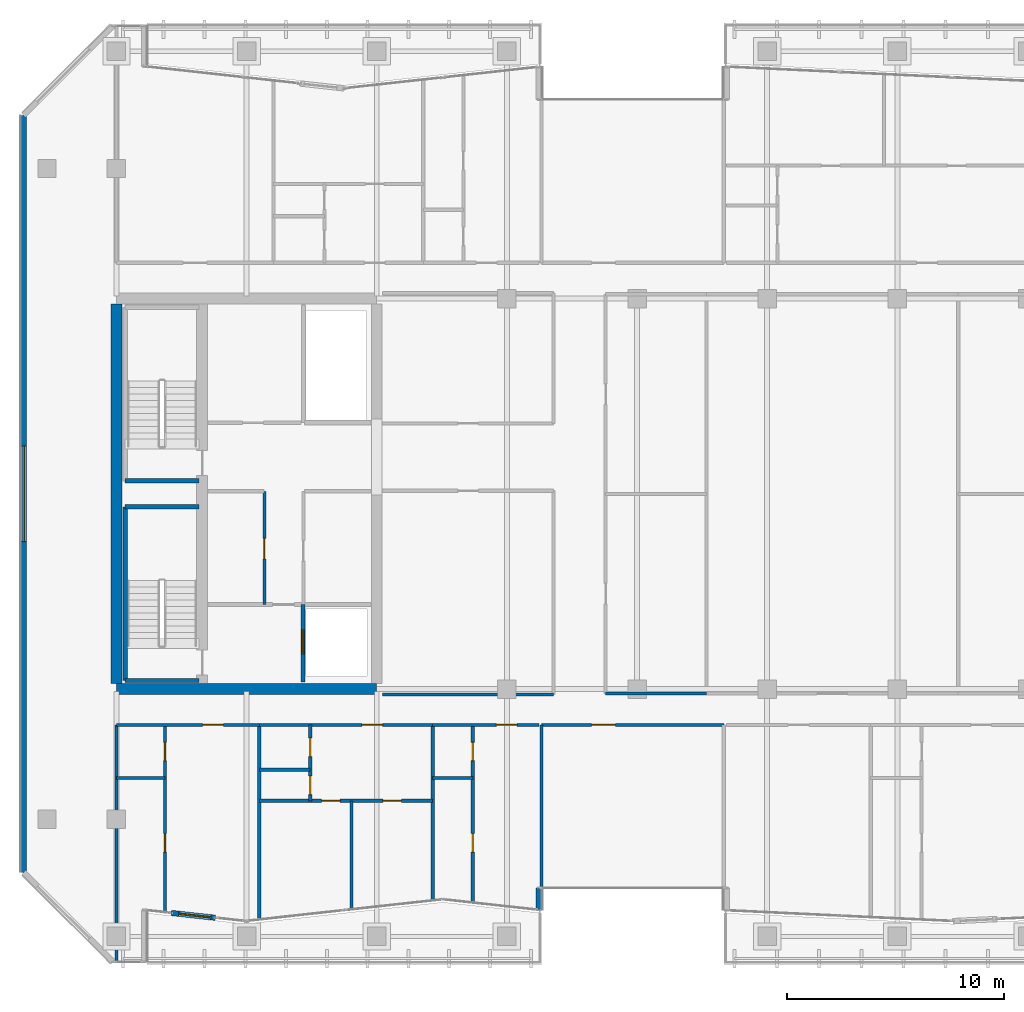
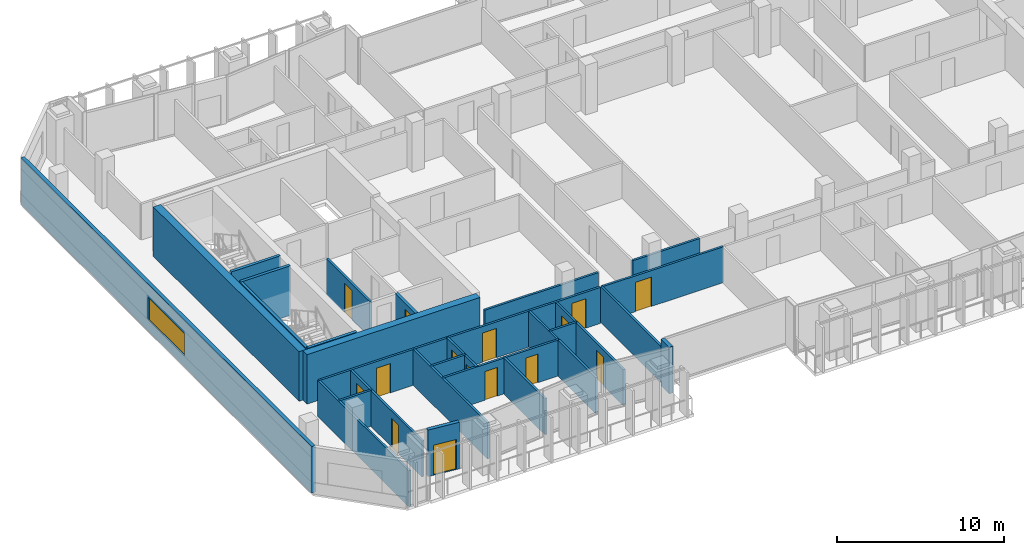
# One storey, part 18 of 28: 29 walls, 15 doors, 1 window, 16 openings.
"""IFC4 building model written with IfcOpenShell, lengths in metres."""

from ifc_helpers import new_model, si_unit, direction, frame, frame_2d, origin, place, context, subcontext, project, spatial, rectangle, extrude, material, layer, layer_set, type_object, element, fill, save


model = new_model("IFC4")

# Units and contexts
model_context = context("Model", 3, precision=1e-05, world=origin(), true_north=direction((0.0, 1.0)))
body_context = subcontext(model_context, "Body", "Model", "MODEL_VIEW")
ifc_project = project(units=[si_unit("LENGTHUNIT", "METRE"), si_unit("AREAUNIT", "SQUARE_METRE"), si_unit("VOLUMEUNIT", "CUBIC_METRE"), si_unit("PLANEANGLEUNIT", "RADIAN"), si_unit("MASSUNIT", "GRAM", prefix="KILO")], contexts=[model_context])

# Site, building, storey
site_placement = place(None, origin())
site = spatial("IfcSite", under=ifc_project, at=site_placement, CompositionType="ELEMENT")
building_placement = place(site_placement, origin())
building = spatial("IfcBuilding", under=site, at=building_placement, Name="Tanjung Sevakor Pilgrim Tower", CompositionType="ELEMENT")
storey_placement = place(building_placement, frame((0.0, 0.0, 158.39990234375)))
storey = spatial("IfcBuildingStorey", under=building, at=storey_placement, Name="L44", CompositionType="ELEMENT", Elevation=158.39990234375)

# Walls
ifc_material_1 = material(Name="Concrete C60/75", Category="concrete")
ifc_layer_1 = layer(ifc_material_1, 0.5)
ifc_layer_set_1 = layer_set([ifc_layer_1], Name="WALL-CW-500")
wall_type_1 = type_object("IfcWallType", Name="WALL-CW-500", PredefinedType="SHEAR", material=ifc_layer_set_1)
wall_1_placement = place(storey_placement, frame((24.0, 24.60009765625, 0.0), z_axis=(0.0, 0.0, 1.0), x_axis=(1.0, 0.0, 0.0)))
element("IfcWall", 1, at=wall_1_placement, inside=storey, type_object=wall_type_1, Name="L44 W Core South Shear Wall", PredefinedType="SHEAR", context=body_context, shape_type="SweptSolid", body=[
    extrude(rectangle(XDim=12.0, YDim=0.5, at=frame_2d((6.0, 0.0))), origin(), (0.0, 0.0, 1.0), 3.630126953125),
])
wall_2_placement = place(storey_placement, frame((24.0, 24.85009765625, 0.0), z_axis=(0.0, 0.0, 1.0), x_axis=(0.0, 1.0, 0.0)))
element("IfcWall", 2, at=wall_2_placement, inside=storey, type_object=wall_type_1, Name="L44 W Core Outer Shear Wall", PredefinedType="SHEAR", context=body_context, shape_type="SweptSolid", body=[
    extrude(rectangle(XDim=17.5, YDim=0.5, at=frame_2d((8.75, 0.0))), origin(), (0.0, 0.0, 1.0), 3.630126953125),
])

# Wall, opening, door
ifc_material_2 = material(Name="Concrete C40/50", Category="concrete")
ifc_layer_2 = layer(ifc_material_2, 0.14990234375)
ifc_layer_set_2 = layer_set([ifc_layer_2], Name="WT-COMP-150")
wall_type_2 = type_object("IfcWallType", Name="WT-COMP-150", PredefinedType="SOLIDWALL", material=ifc_layer_set_2)
wall_3_placement = place(storey_placement, frame((30.820068359375, 28.5, 0.0), z_axis=(0.0, 0.0, 1.0), x_axis=(0.0, 1.0, 0.0)))
wall_3 = element("IfcWall", 3, at=wall_3_placement, inside=storey, type_object=wall_type_2, Name="L44 Partition IW-L44-004", PredefinedType="SOLIDWALL", context=body_context, shape_type="SweptSolid", body=[
    extrude(rectangle(XDim=5.219970703125, YDim=0.14990234375, at=frame_2d((2.60986328125, 0.0))), origin(), (0.0, 0.0, 1.0), 2.6298828125),
])
opening_1_placement = place(wall_3_placement, frame((2.10009765625, 0.0, 0.0)))
opening_1 = element("IfcOpeningElement", 4, at=opening_1_placement, cuts=wall_3, Name="Opening ID-FD2", PredefinedType="OPENING", context=body_context, shape_type="SweptSolid", body=[
    extrude(rectangle(XDim=0.949951171875, YDim=2.14990234375, at=frame_2d((0.47509765625, 1.074951171875))), frame((0.0, 0.0849609375, 0.0), z_axis=(0.0, -1.0, 0.0), x_axis=(1.0, 0.0, 0.0)), (0.0, 0.0, 1.0), 0.169921875),
])
ifc_material_3 = material(Name="Fire-Rated Timber", Category="wood")
door_type_1 = type_object("IfcDoorType", Name="DT-FIRE-950", OperationType="NOTDEFINED", PredefinedType="DOOR", material=ifc_material_3)
door_1_placement = place(opening_1_placement, origin())
door_1 = element("IfcDoor", 5, at=door_1_placement, inside=storey, type_object=door_type_1, Name="L44 Housekeeping Pantry Door", OperationType="SINGLE_SWING_RIGHT", OverallHeight=2.14990234375, OverallWidth=0.949951171875, PredefinedType="DOOR", context=body_context, shape_type="SweptSolid", body=[
    extrude(rectangle(XDim=0.949951171875, YDim=2.14990234375, at=frame_2d((0.47509765625, 1.074951171875))), frame((0.0, 0.02490234375, 0.0), z_axis=(0.0, -1.0, 0.0), x_axis=(1.0, 0.0, 0.0)), (0.0, 0.0, 1.0), 0.050048828125),
])
fill(opening_1, door_1)

# Walls
wall_4_placement = place(storey_placement, frame((36.27001953125, 24.35009765625, 0.0), z_axis=(0.0, 0.0, 1.0), x_axis=(1.0, 0.0, 0.0)))
element("IfcWall", 6, at=wall_4_placement, inside=storey, type_object=wall_type_2, Name="L44 Partition IW-L44-019", PredefinedType="SOLIDWALL", context=body_context, shape_type="SweptSolid", body=[
    extrude(rectangle(XDim=7.8798828125, YDim=0.14990234375, at=frame_2d((3.93994140625, 0.0))), origin(), (0.0, 0.0, 1.0), 2.6298828125),
])
wall_5_placement = place(storey_placement, frame((46.550048828125, 24.39990234375, 0.0), z_axis=(0.0, 0.0, 1.0), x_axis=(1.0, 0.0, 0.0)))
element("IfcWall", 7, at=wall_5_placement, inside=storey, type_object=wall_type_2, Name="L44 Partition IW-L44-031", PredefinedType="SOLIDWALL", context=body_context, shape_type="SweptSolid", body=[
    extrude(rectangle(XDim=4.64990234375, YDim=0.14990234375, at=frame_2d((2.324951171875, 0.0))), origin(), (0.0, 0.0, 1.0), 2.6298828125),
])

# Wall, opening, door
wall_6_placement = place(storey_placement, frame((43.60009765625, 22.949951171875, 0.0), z_axis=(0.0, 0.0, 1.0), x_axis=(1.0, 0.0, 0.0)))
wall_6 = element("IfcWall", 8, at=wall_6_placement, inside=storey, type_object=wall_type_2, Name="L44 Partition IW-L44-045", PredefinedType="SOLIDWALL", context=body_context, shape_type="SweptSolid", body=[
    extrude(rectangle(XDim=8.39990234375, YDim=0.14990234375, at=frame_2d((4.199951171875, 0.0))), origin(), (0.0, 0.0, 1.0), 2.6298828125),
])
opening_2_placement = place(wall_6_placement, frame((2.300048828125, 0.0, 0.0)))
opening_2 = element("IfcOpeningElement", 9, at=opening_2_placement, cuts=wall_6, Name="Opening ID-RM2", PredefinedType="OPENING", context=body_context, shape_type="SweptSolid", body=[
    extrude(rectangle(XDim=1.10009765625, YDim=2.14990234375, at=frame_2d((0.550048828125, 1.074951171875))), frame((0.0, 0.0849609375, 0.0), z_axis=(0.0, -1.0, 0.0), x_axis=(1.0, 0.0, 0.0)), (0.0, 0.0, 1.0), 0.169921875),
])
ifc_material_4 = material(Name="Hardwood Timber", Category="wood")
door_type_2 = type_object("IfcDoorType", Name="DT-INT-1100", OperationType="NOTDEFINED", PredefinedType="DOOR", material=ifc_material_4)
door_2_placement = place(opening_2_placement, origin())
door_2 = element("IfcDoor", 10, at=door_2_placement, inside=storey, type_object=door_type_2, Name="L44 South Cleft Communal Lounge Door", OperationType="SINGLE_SWING_LEFT", OverallHeight=2.14990234375, OverallWidth=1.10009765625, PredefinedType="DOOR", context=body_context, shape_type="SweptSolid", body=[
    extrude(rectangle(XDim=1.10009765625, YDim=2.14990234375, at=frame_2d((0.550048828125, 1.074951171875))), frame((0.0, 0.02490234375, 0.0), z_axis=(0.0, -1.0, 0.0), x_axis=(1.0, 0.0, 0.0)), (0.0, 0.0, 1.0), 0.050048828125),
])
fill(opening_2, door_2)

# Walls
wall_7_placement = place(storey_placement, frame((43.60009765625, 15.425048828125, 0.0), z_axis=(0.0, 0.0, 1.0), x_axis=(0.0, 1.0, 0.0)))
element("IfcWall", 11, at=wall_7_placement, inside=storey, type_object=wall_type_2, Name="L44 Partition IW-L44-046", PredefinedType="SOLIDWALL", context=body_context, shape_type="SweptSolid", body=[
    extrude(rectangle(XDim=7.52490234375, YDim=0.14990234375, at=frame_2d((3.762451171875, 0.0))), origin(), (0.0, 0.0, 1.0), 2.6298828125),
])
wall_8_placement = place(storey_placement, frame((24.0, 12.02490234375, 0.0), z_axis=(0.0, 0.0, 1.0), x_axis=(0.0, 1.0, 0.0)))
element("IfcWall", 12, at=wall_8_placement, inside=storey, type_object=wall_type_2, Name="L44 Partition IW-L44-051", PredefinedType="SOLIDWALL", context=body_context, shape_type="SweptSolid", body=[
    extrude(rectangle(XDim=10.925048828125, YDim=0.14990234375, at=frame_2d((5.46240234375, 0.0))), origin(), (0.0, 0.0, 1.0), 2.6298828125),
])
wall_9_placement = place(storey_placement, frame((30.583984375, 13.9755859375, 0.0), z_axis=(0.0, 0.0, 1.0), x_axis=(0.0, 1.0, 0.0)))
element("IfcWall", 13, at=wall_9_placement, inside=storey, type_object=wall_type_2, Name="L44 Partition IW-L44-052", PredefinedType="SOLIDWALL", context=body_context, shape_type="SweptSolid", body=[
    extrude(rectangle(XDim=8.974365234375, YDim=0.14990234375, at=frame_2d((4.4873046875, 0.0))), origin(), (0.0, 0.0, 1.0), 2.6298828125),
])

# Wall, opening, door
wall_10_placement = place(storey_placement, frame((24.0, 22.949951171875, 0.0), z_axis=(0.0, 0.0, 1.0), x_axis=(1.0, 0.0, 0.0)))
wall_10 = element("IfcWall", 14, at=wall_10_placement, inside=storey, type_object=wall_type_2, Name="L44 Partition IW-L44-055", PredefinedType="SOLIDWALL", context=body_context, shape_type="SweptSolid", body=[
    extrude(rectangle(XDim=6.583984375, YDim=0.14990234375, at=frame_2d((3.2919921875, 0.0))), origin(), (0.0, 0.0, 1.0), 2.6298828125),
])
opening_3_placement = place(wall_10_placement, frame((3.976318359375, 0.0, 0.0)))
opening_3 = element("IfcOpeningElement", 15, at=opening_3_placement, cuts=wall_10, Name="Opening ID-FD2", PredefinedType="OPENING", context=body_context, shape_type="SweptSolid", body=[
    extrude(rectangle(XDim=0.949951171875, YDim=2.14990234375, at=frame_2d((0.47509765625, 1.074951171875))), frame((0.0, 0.0849609375, 0.0), z_axis=(0.0, -1.0, 0.0), x_axis=(1.0, 0.0, 0.0)), (0.0, 0.0, 1.0), 0.169921875),
])
door_3_placement = place(opening_3_placement, origin())
door_3 = element("IfcDoor", 16, at=door_3_placement, inside=storey, type_object=door_type_1, Name="Hostel Quad Entrance", OperationType="SINGLE_SWING_LEFT", OverallHeight=2.14990234375, OverallWidth=0.949951171875, PredefinedType="DOOR", context=body_context, shape_type="SweptSolid", body=[
    extrude(rectangle(XDim=0.949951171875, YDim=2.14990234375, at=frame_2d((0.47509765625, 1.074951171875))), frame((0.0, 0.02490234375, 0.0), z_axis=(0.0, -1.0, 0.0), x_axis=(1.0, 0.0, 0.0)), (0.0, 0.0, 1.0), 0.050048828125),
])
fill(opening_3, door_3)

# Wall
wall_11_placement = place(storey_placement, frame((38.575927734375, 14.853759765625, 0.0), z_axis=(0.0, 0.0, 1.0), x_axis=(0.0, 1.0, 0.0)))
element("IfcWall", 17, at=wall_11_placement, inside=storey, type_object=wall_type_2, Name="L44 Partition IW-L44-056", PredefinedType="SOLIDWALL", context=body_context, shape_type="SweptSolid", body=[
    extrude(rectangle(XDim=8.09619140625, YDim=0.14990234375, at=frame_2d((4.048095703125, 0.0))), origin(), (0.0, 0.0, 1.0), 2.6298828125),
])

# Wall, opening, door
wall_12_placement = place(storey_placement, frame((30.583984375, 22.949951171875, 0.0), z_axis=(0.0, 0.0, 1.0), x_axis=(1.0, 0.0, 0.0)))
wall_12 = element("IfcWall", 18, at=wall_12_placement, inside=storey, type_object=wall_type_2, Name="L44 Partition IW-L44-061", PredefinedType="SOLIDWALL", context=body_context, shape_type="SweptSolid", body=[
    extrude(rectangle(XDim=7.991943359375, YDim=0.14990234375, at=frame_2d((3.99609375, 0.0))), origin(), (0.0, 0.0, 1.0), 2.6298828125),
])
opening_4_placement = place(wall_12_placement, frame((4.73583984375, 0.0, 0.0)))
opening_4 = element("IfcOpeningElement", 19, at=opening_4_placement, cuts=wall_12, Name="Opening ID-FD2", PredefinedType="OPENING", context=body_context, shape_type="SweptSolid", body=[
    extrude(rectangle(XDim=0.949951171875, YDim=2.14990234375, at=frame_2d((0.47509765625, 1.074951171875))), frame((0.0, 0.0849609375, 0.0), z_axis=(0.0, -1.0, 0.0), x_axis=(1.0, 0.0, 0.0)), (0.0, 0.0, 1.0), 0.169921875),
])
door_4_placement = place(opening_4_placement, origin())
door_4 = element("IfcDoor", 20, at=door_4_placement, inside=storey, type_object=door_type_1, Name="Suite Entrance", OperationType="SINGLE_SWING_RIGHT", OverallHeight=2.14990234375, OverallWidth=0.949951171875, PredefinedType="DOOR", context=body_context, shape_type="SweptSolid", body=[
    extrude(rectangle(XDim=0.949951171875, YDim=2.14990234375, at=frame_2d((0.47509765625, 1.074951171875))), frame((0.0, 0.02490234375, 0.0), z_axis=(0.0, -1.0, 0.0), x_axis=(1.0, 0.0, 0.0)), (0.0, 0.0, 1.0), 0.050048828125),
])
fill(opening_4, door_4)

wall_13_placement = place(storey_placement, frame((38.575927734375, 22.949951171875, 0.0), z_axis=(0.0, 0.0, 1.0), x_axis=(1.0, 0.0, 0.0)))
wall_13 = element("IfcWall", 21, at=wall_13_placement, inside=storey, type_object=wall_type_2, Name="L44 Partition IW-L44-064", PredefinedType="SOLIDWALL", context=body_context, shape_type="SweptSolid", body=[
    extrude(rectangle(XDim=4.904052734375, YDim=0.14990234375, at=frame_2d((2.4521484375, 0.0))), origin(), (0.0, 0.0, 1.0), 2.6298828125),
])
opening_5_placement = place(wall_13_placement, frame((2.94189453125, 0.0, 0.0)))
opening_5 = element("IfcOpeningElement", 22, at=opening_5_placement, cuts=wall_13, Name="Opening ID-FD2", PredefinedType="OPENING", context=body_context, shape_type="SweptSolid", body=[
    extrude(rectangle(XDim=0.949951171875, YDim=2.14990234375, at=frame_2d((0.47509765625, 1.074951171875))), frame((0.0, 0.0849609375, 0.0), z_axis=(0.0, -1.0, 0.0), x_axis=(1.0, 0.0, 0.0)), (0.0, 0.0, 1.0), 0.169921875),
])
door_5_placement = place(opening_5_placement, origin())
door_5 = element("IfcDoor", 23, at=door_5_placement, inside=storey, type_object=door_type_1, Name="Hotel Guestroom Entrance", OperationType="SINGLE_SWING_LEFT", OverallHeight=2.14990234375, OverallWidth=0.949951171875, PredefinedType="DOOR", context=body_context, shape_type="SweptSolid", body=[
    extrude(rectangle(XDim=0.949951171875, YDim=2.14990234375, at=frame_2d((0.47509765625, 1.074951171875))), frame((0.0, 0.02490234375, 0.0), z_axis=(0.0, -1.0, 0.0), x_axis=(1.0, 0.0, 0.0)), (0.0, 0.0, 1.0), 0.050048828125),
])
fill(opening_5, door_5)

ifc_material_5 = material(Name="Precast concrete C45/55", Category="concrete")
ifc_layer_3 = layer(ifc_material_5, 0.25)
ifc_layer_set_3 = layer_set([ifc_layer_3], Name="WT-EW-STN3")
wall_type_3 = type_object("IfcWallType", Name="WT-EW-STN3", PredefinedType="SOLIDWALL", material=ifc_layer_set_3)
wall_14_placement = place(storey_placement, frame((26.517578125, 14.282958984375, 0.0), z_axis=(0.0, 0.0, 1.0), x_axis=(0.994024562576, -0.109156625985, 0.0)))
wall_14 = element("IfcWall", 24, at=wall_14_placement, inside=storey, type_object=wall_type_3, Name="L44 S-Curve Terrace Threshold Wall 2", PredefinedType="SOLIDWALL", context=body_context, shape_type="SweptSolid", body=[
    extrude(rectangle(XDim=2.059814453125, YDim=0.25, at=frame_2d((1.02978515625, 0.0))), origin(), (0.0, 0.0, 1.0), 3.409912109375),
])
opening_6_placement = place(wall_14_placement, frame((0.35009765625, 0.0, 0.0)))
opening_6 = element("IfcOpeningElement", 25, at=opening_6_placement, cuts=wall_14, Name="Opening ED-TER-1500", PredefinedType="OPENING", context=body_context, shape_type="SweptSolid", body=[
    extrude(rectangle(XDim=1.5, YDim=2.199951171875, at=frame_2d((0.75, 1.10009765625))), frame((0.0, 0.135009765625, 0.0), z_axis=(0.0, -1.0, 0.0), x_axis=(1.0, 0.0, 0.0)), (0.0, 0.0, 1.0), 0.27001953125),
])
ifc_material_6 = material(Name="Anodised Aluminium and Laminated Glass", Category="aluminium")
door_type_3 = type_object("IfcDoorType", Name="DTYP-ED-TER-1500", OperationType="DOUBLE_DOOR_SINGLE_SWING", PredefinedType="DOOR", material=ifc_material_6)
door_6_placement = place(opening_6_placement, frame((1.5, 0.0, 0.0), z_axis=(0.0, 0.0, 1.0), x_axis=(-1.0, 0.0, 0.0)))
door_6 = element("IfcDoor", 26, at=door_6_placement, inside=storey, type_object=door_type_3, Name="L44 S-Curve Terrace Access Door 2", OperationType="SINGLE_SWING_RIGHT", OverallHeight=2.199951171875, OverallWidth=1.5, PredefinedType="DOOR", context=body_context, shape_type="SweptSolid", body=[
    extrude(rectangle(XDim=1.5, YDim=2.199951171875, at=frame_2d((0.75, 1.10009765625))), frame((0.0, 0.02490234375, 0.0), z_axis=(0.0, -1.0, 0.0), x_axis=(1.0, 0.0, 0.0)), (0.0, 0.0, 1.0), 0.050048828125),
])
fill(opening_6, door_6)

# Wall
wall_15_placement = place(storey_placement, frame((43.47509765625, 14.41943359375, 0.0), z_axis=(0.0, 0.0, 1.0), x_axis=(0.0, 1.0, 0.0)))
element("IfcWall", 27, at=wall_15_placement, inside=storey, type_object=wall_type_3, Name="L44 MAIN Exterior Wall 7", PredefinedType="SOLIDWALL", context=body_context, shape_type="SweptSolid", body=[
    extrude(rectangle(XDim=1.005615234375, YDim=0.25, at=frame_2d((0.5029296875, 0.0))), origin(), (0.0, 0.0, 1.0), 3.409912109375),
])

# Wall, opening, window
wall_16_placement = place(storey_placement, frame((19.72509765625, 51.048095703125, 0.0), z_axis=(0.0, 0.0, 1.0), x_axis=(0.0, -1.0, 0.0)))
wall_16 = element("IfcWall", 28, at=wall_16_placement, inside=storey, type_object=wall_type_3, Name="L44 MAIN Exterior Wall 35", PredefinedType="SOLIDWALL", context=body_context, shape_type="SweptSolid", body=[
    extrude(rectangle(XDim=34.896240234375, YDim=0.25, at=frame_2d((17.4482421875, 0.0))), origin(), (0.0, 0.0, 1.0), 3.409912109375),
])
opening_7_placement = place(wall_16_placement, frame((15.248291015625, 0.0, 0.780029296875)))
opening_7 = element("IfcOpeningElement", 29, at=opening_7_placement, cuts=wall_16, Name="Opening WN-ENDW-1660", PredefinedType="OPENING", context=body_context, shape_type="SweptSolid", body=[
    extrude(rectangle(XDim=4.39990234375, YDim=1.659912109375, at=frame_2d((2.199951171875, 0.830078125))), frame((0.0, 0.135009765625, 0.0), z_axis=(0.0, -1.0, 0.0), x_axis=(1.0, 0.0, 0.0)), (0.0, 0.0, 1.0), 0.27001953125),
])
ifc_material_7 = material(Name="Thermally Broken Aluminium and Low-E Glass", Category="aluminium")
window_type = type_object("IfcWindowType", Name="WTYP-WN-ENDW-1660", PartitioningType="DOUBLE_PANEL_VERTICAL", PredefinedType="WINDOW", material=ifc_material_7)
window_placement = place(opening_7_placement, origin())
window = element("IfcWindow", 30, at=window_placement, inside=storey, type_object=window_type, Name="L44 Facade Window 01", OverallHeight=1.659912109375, OverallWidth=4.39990234375, PartitioningType="SINGLE_PANEL", PredefinedType="WINDOW", context=body_context, shape_type="SweptSolid", body=[
    extrude(rectangle(XDim=4.39990234375, YDim=1.659912109375, at=frame_2d((2.199951171875, 0.830078125))), frame((0.0, 0.030029296875, 0.0), z_axis=(0.0, -1.0, 0.0), x_axis=(1.0, 0.0, 0.0)), (0.0, 0.0, 1.0), 0.06005859375),
])
fill(opening_7, window)

# Walls
ifc_material_8 = material(Name="Concrete C40/50", Category="concrete")
ifc_layer_4 = layer(ifc_material_8, 0.199951171875)
ifc_layer_set_4 = layer_set([ifc_layer_4], Name="WT-FIRE-200")
wall_type_4 = type_object("IfcWallType", Name="WT-FIRE-200", PredefinedType="SOLIDWALL", material=ifc_layer_set_4)
for number, where, z_axis, x_axis, name in (
    (31, (24.39990234375, 25.0, 0.0), (0.0, 0.0, 1.0), (1.0, 0.0, 0.0), "L44 TS-W1 Shaft Wall 1"),
    (32, (27.800048828125, 33.0, 0.0), (0.0, 0.0, 1.0), (-1.0, 0.0, 0.0), "L44 TS-W1 Shaft Wall 2"),
):
    element("IfcWall", number, at=place(storey_placement, frame(where, z_axis=z_axis, x_axis=x_axis)), inside=storey, type_object=wall_type_4, Name=name, PredefinedType="SOLIDWALL", context=body_context, shape_type="SweptSolid", body=[
        extrude(rectangle(XDim=3.400146484375, YDim=0.199951171875, at=frame_2d((1.7001953125, 0.0))), origin(), (0.0, 0.0, 1.0), 3.630126953125),
    ])
wall_17_placement = place(storey_placement, frame((24.39990234375, 33.0, 0.0), z_axis=(0.0, 0.0, 1.0), x_axis=(0.0, -1.0, 0.0)))
element("IfcWall", 33, at=wall_17_placement, inside=storey, type_object=wall_type_4, Name="L44 TS-W1 Shaft Wall 3", PredefinedType="SOLIDWALL", context=body_context, shape_type="SweptSolid", body=[
    extrude(rectangle(XDim=8.0, YDim=0.199951171875, at=frame_2d((4.0, 0.0))), origin(), (0.0, 0.0, 1.0), 3.630126953125),
])
wall_18_placement = place(storey_placement, frame((24.39990234375, 34.199951171875, 0.0), z_axis=(0.0, 0.0, 1.0), x_axis=(1.0, 0.0, 0.0)))
element("IfcWall", 34, at=wall_18_placement, inside=storey, type_object=wall_type_4, Name="L44 TS-W2 Shaft Wall 1", PredefinedType="SOLIDWALL", context=body_context, shape_type="SweptSolid", body=[
    extrude(rectangle(XDim=3.400146484375, YDim=0.199951171875, at=frame_2d((1.7001953125, 0.0))), origin(), (0.0, 0.0, 1.0), 3.630126953125),
])

# Wall, opening, door
ifc_material_9 = material(Name="Concrete C40/50", Category="concrete")
ifc_layer_5 = layer(ifc_material_9, 0.199951171875)
ifc_layer_set_5 = layer_set([ifc_layer_5], Name="WT-FPRT-200")
wall_type_5 = type_object("IfcWallType", Name="WT-FPRT-200", PredefinedType="SOLIDWALL", material=ifc_layer_set_5)
wall_19_placement = place(storey_placement, frame((32.60009765625, 24.919921875, 0.0), z_axis=(0.0, 0.0, 1.0), x_axis=(0.0, 1.0, 0.0)))
wall_19 = element("IfcWall", 35, at=wall_19_placement, inside=storey, type_object=wall_type_5, Name="L44 Partition IW-L44-001", PredefinedType="SOLIDWALL", context=body_context, shape_type="SweptSolid", body=[
    extrude(rectangle(XDim=3.580078125, YDim=0.199951171875, at=frame_2d((1.7900390625, 0.0))), origin(), (0.0, 0.0, 1.0), 2.6298828125),
])
opening_8_placement = place(wall_19_placement, frame((1.300048828125, 0.0, 0.0)))
opening_8 = element("IfcOpeningElement", 36, at=opening_8_placement, cuts=wall_19, Name="Opening LD-1100", PredefinedType="OPENING", context=body_context, shape_type="SweptSolid", body=[
    extrude(rectangle(XDim=1.10009765625, YDim=2.199951171875, at=frame_2d((0.550048828125, 1.10009765625))), frame((0.0, 0.10986328125, 0.0), z_axis=(0.0, -1.0, 0.0), x_axis=(1.0, 0.0, 0.0)), (0.0, 0.0, 1.0), 0.219970703125),
])
ifc_material_10 = material(Name="Brushed Stainless Steel S355J2", Category="steel")
door_type_4 = type_object("IfcDoorType", Name="DT-LIFT-1100", OperationType="SLIDING_TO_LEFT", PredefinedType="DOOR", material=ifc_material_10)
door_7_placement = place(opening_8_placement, origin())
door_7 = element("IfcDoor", 37, at=door_7_placement, inside=storey, type_object=door_type_4, Name="LD-FL-W", OperationType="SLIDING_TO_LEFT", OverallHeight=2.199951171875, OverallWidth=1.10009765625, PredefinedType="DOOR", context=body_context, shape_type="SweptSolid", body=[
    extrude(rectangle(XDim=1.10009765625, YDim=2.199951171875, at=frame_2d((0.550048828125, 1.10009765625))), frame((0.0, 0.02490234375, 0.0), z_axis=(0.0, -1.0, 0.0), x_axis=(1.0, 0.0, 0.0)), (0.0, 0.0, 1.0), 0.050048828125),
])
fill(opening_8, door_7)

# Wall
ifc_material_11 = material(Name="Gypsum Board Partition", Category="gypsum board")
ifc_layer_6 = layer(ifc_material_11, 0.14990234375)
ifc_layer_set_6 = layer_set([ifc_layer_6], Name="WT-PART-150")
wall_type_6 = type_object("IfcWallType", Name="WT-PART-150", PredefinedType="PARTITIONING", material=ifc_layer_set_6)
wall_20_placement = place(storey_placement, frame((24.0, 20.5, 0.0), z_axis=(0.0, 0.0, 1.0), x_axis=(1.0, 0.0, 0.0)))
element("IfcWall", 38, at=wall_20_placement, inside=storey, type_object=wall_type_6, Name="L44 Partition IW-L44-053", PredefinedType="PARTITIONING", context=body_context, shape_type="SweptSolid", body=[
    extrude(rectangle(XDim=2.238525390625, YDim=0.14990234375, at=frame_2d((1.119140625, 0.0))), origin(), (0.0, 0.0, 1.0), 2.6298828125),
])

# Wall, openings, doors
wall_21_placement = place(storey_placement, frame((26.238525390625, 14.313720703125, 0.0), z_axis=(0.0, 0.0, 1.0), x_axis=(0.0, 1.0, 0.0)))
wall_21 = element("IfcWall", 39, at=wall_21_placement, inside=storey, type_object=wall_type_6, Name="L44 Partition IW-L44-054", PredefinedType="PARTITIONING", context=body_context, shape_type="SweptSolid", body=[
    extrude(rectangle(XDim=8.63623046875, YDim=0.14990234375, at=frame_2d((4.318115234375, 0.0))), origin(), (0.0, 0.0, 1.0), 2.6298828125),
])
opening_9_placement = place(wall_21_placement, frame((2.7763671875, 0.0, 0.0)))
opening_9 = element("IfcOpeningElement", 40, at=opening_9_placement, cuts=wall_21, Name="Opening ID-WC1", PredefinedType="OPENING", context=body_context, shape_type="SweptSolid", body=[
    extrude(rectangle(XDim=0.85009765625, YDim=2.10009765625, at=frame_2d((0.425048828125, 1.050048828125))), frame((0.0, 0.0849609375, 0.0), z_axis=(0.0, -1.0, 0.0), x_axis=(1.0, 0.0, 0.0)), (0.0, 0.0, 1.0), 0.169921875),
])
opening_10_placement = place(wall_21_placement, frame((6.986328125, 0.0, 0.0)))
opening_10 = element("IfcOpeningElement", 41, at=opening_10_placement, cuts=wall_21, Name="Opening ID-WC1", PredefinedType="OPENING", context=body_context, shape_type="SweptSolid", body=[
    extrude(rectangle(XDim=0.85009765625, YDim=2.10009765625, at=frame_2d((0.425048828125, 1.050048828125))), frame((0.0, 0.0849609375, 0.0), z_axis=(0.0, -1.0, 0.0), x_axis=(1.0, 0.0, 0.0)), (0.0, 0.0, 1.0), 0.169921875),
])
ifc_material_12 = material(Name="Moisture-Resistant Timber", Category="wood")
door_type_5 = type_object("IfcDoorType", Name="DT-INT-850", OperationType="NOTDEFINED", PredefinedType="DOOR", material=ifc_material_12)
door_8_placement = place(opening_9_placement, origin())
door_8 = element("IfcDoor", 42, at=door_8_placement, inside=storey, type_object=door_type_5, Name="Study Nook Door", OperationType="SINGLE_SWING_LEFT", OverallHeight=2.10009765625, OverallWidth=0.85009765625, PredefinedType="DOOR", context=body_context, shape_type="SweptSolid", body=[
    extrude(rectangle(XDim=0.85009765625, YDim=2.10009765625, at=frame_2d((0.425048828125, 1.050048828125))), frame((0.0, 0.02490234375, 0.0), z_axis=(0.0, -1.0, 0.0), x_axis=(1.0, 0.0, 0.0)), (0.0, 0.0, 1.0), 0.050048828125),
])
fill(opening_9, door_8)
door_9_placement = place(opening_10_placement, origin())
door_9 = element("IfcDoor", 43, at=door_9_placement, inside=storey, type_object=door_type_5, Name="Bathroom Door", OperationType="SINGLE_SWING_RIGHT", OverallHeight=2.10009765625, OverallWidth=0.85009765625, PredefinedType="DOOR", context=body_context, shape_type="SweptSolid", body=[
    extrude(rectangle(XDim=0.85009765625, YDim=2.10009765625, at=frame_2d((0.425048828125, 1.050048828125))), frame((0.0, 0.02490234375, 0.0), z_axis=(0.0, -1.0, 0.0), x_axis=(1.0, 0.0, 0.0)), (0.0, 0.0, 1.0), 0.050048828125),
])
fill(opening_10, door_9)

# Wall
wall_22_placement = place(storey_placement, frame((30.583984375, 20.885009765625, 0.0), z_axis=(0.0, 0.0, 1.0), x_axis=(1.0, 0.0, 0.0)))
element("IfcWall", 44, at=wall_22_placement, inside=storey, type_object=wall_type_6, Name="L44 Partition IW-L44-057", PredefinedType="PARTITIONING", context=body_context, shape_type="SweptSolid", body=[
    extrude(rectangle(XDim=2.35009765625, YDim=0.14990234375, at=frame_2d((1.175048828125, 0.0))), origin(), (0.0, 0.0, 1.0), 2.6298828125),
])

# Wall, openings, doors
wall_23_placement = place(storey_placement, frame((32.93408203125, 19.449951171875, 0.0), z_axis=(0.0, 0.0, 1.0), x_axis=(0.0, 1.0, 0.0)))
wall_23 = element("IfcWall", 45, at=wall_23_placement, inside=storey, type_object=wall_type_6, Name="L44 Partition IW-L44-058", PredefinedType="PARTITIONING", context=body_context, shape_type="SweptSolid", body=[
    extrude(rectangle(XDim=3.5, YDim=0.14990234375, at=frame_2d((1.75, 0.0))), origin(), (0.0, 0.0, 1.0), 2.6298828125),
])
opening_11_placement = place(wall_23_placement, frame((0.29248046875, 0.0, 0.0)))
opening_11 = element("IfcOpeningElement", 46, at=opening_11_placement, cuts=wall_23, Name="Opening ID-WC1", PredefinedType="OPENING", context=body_context, shape_type="SweptSolid", body=[
    extrude(rectangle(XDim=0.85009765625, YDim=2.10009765625, at=frame_2d((0.425048828125, 1.050048828125))), frame((0.0, 0.0849609375, 0.0), z_axis=(0.0, -1.0, 0.0), x_axis=(1.0, 0.0, 0.0)), (0.0, 0.0, 1.0), 0.169921875),
])
opening_12_placement = place(wall_23_placement, frame((2.04248046875, 0.0, 0.0)))
opening_12 = element("IfcOpeningElement", 47, at=opening_12_placement, cuts=wall_23, Name="Opening ID-WC1", PredefinedType="OPENING", context=body_context, shape_type="SweptSolid", body=[
    extrude(rectangle(XDim=0.85009765625, YDim=2.10009765625, at=frame_2d((0.425048828125, 1.050048828125))), frame((0.0, 0.0849609375, 0.0), z_axis=(0.0, -1.0, 0.0), x_axis=(1.0, 0.0, 0.0)), (0.0, 0.0, 1.0), 0.169921875),
])
door_10_placement = place(opening_11_placement, origin())
door_10 = element("IfcDoor", 48, at=door_10_placement, inside=storey, type_object=door_type_5, Name="Suite Bathroom Door", OperationType="SINGLE_SWING_RIGHT", OverallHeight=2.10009765625, OverallWidth=0.85009765625, PredefinedType="DOOR", context=body_context, shape_type="SweptSolid", body=[
    extrude(rectangle(XDim=0.85009765625, YDim=2.10009765625, at=frame_2d((0.425048828125, 1.050048828125))), frame((0.0, 0.02490234375, 0.0), z_axis=(0.0, -1.0, 0.0), x_axis=(1.0, 0.0, 0.0)), (0.0, 0.0, 1.0), 0.050048828125),
])
fill(opening_11, door_10)
door_11_placement = place(opening_12_placement, origin())
door_11 = element("IfcDoor", 49, at=door_11_placement, inside=storey, type_object=door_type_5, Name="Suite Kitchenette Door", OperationType="SINGLE_SWING_LEFT", OverallHeight=2.10009765625, OverallWidth=0.85009765625, PredefinedType="DOOR", context=body_context, shape_type="SweptSolid", body=[
    extrude(rectangle(XDim=0.85009765625, YDim=2.10009765625, at=frame_2d((0.425048828125, 1.050048828125))), frame((0.0, 0.02490234375, 0.0), z_axis=(0.0, -1.0, 0.0), x_axis=(1.0, 0.0, 0.0)), (0.0, 0.0, 1.0), 0.050048828125),
])
fill(opening_12, door_11)

# Wall
wall_24_placement = place(storey_placement, frame((34.833984375, 14.4423828125, 0.0), z_axis=(0.0, 0.0, 1.0), x_axis=(0.0, 1.0, 0.0)))
element("IfcWall", 50, at=wall_24_placement, inside=storey, type_object=wall_type_6, Name="L44 Partition IW-L44-059", PredefinedType="PARTITIONING", context=body_context, shape_type="SweptSolid", body=[
    extrude(rectangle(XDim=5.007568359375, YDim=0.14990234375, at=frame_2d((2.50390625, 0.0))), origin(), (0.0, 0.0, 1.0), 2.6298828125),
])

# Wall, openings, doors
wall_25_placement = place(storey_placement, frame((30.583984375, 19.449951171875, 0.0), z_axis=(0.0, 0.0, 1.0), x_axis=(1.0, 0.0, 0.0)))
wall_25 = element("IfcWall", 51, at=wall_25_placement, inside=storey, type_object=wall_type_6, Name="L44 Partition IW-L44-060", PredefinedType="PARTITIONING", context=body_context, shape_type="SweptSolid", body=[
    extrude(rectangle(XDim=7.991943359375, YDim=0.14990234375, at=frame_2d((3.99609375, 0.0))), origin(), (0.0, 0.0, 1.0), 2.6298828125),
])
opening_13_placement = place(wall_25_placement, frame((2.875, 0.0, 0.0)))
opening_13 = element("IfcOpeningElement", 52, at=opening_13_placement, cuts=wall_25, Name="Opening ID-WC1", PredefinedType="OPENING", context=body_context, shape_type="SweptSolid", body=[
    extrude(rectangle(XDim=0.85009765625, YDim=2.10009765625, at=frame_2d((0.425048828125, 1.050048828125))), frame((0.0, 0.0849609375, 0.0), z_axis=(0.0, -1.0, 0.0), x_axis=(1.0, 0.0, 0.0)), (0.0, 0.0, 1.0), 0.169921875),
])
opening_14_placement = place(wall_25_placement, frame((5.69580078125, 0.0, 0.0)))
opening_14 = element("IfcOpeningElement", 53, at=opening_14_placement, cuts=wall_25, Name="Opening ID-WC1", PredefinedType="OPENING", context=body_context, shape_type="SweptSolid", body=[
    extrude(rectangle(XDim=0.85009765625, YDim=2.10009765625, at=frame_2d((0.425048828125, 1.050048828125))), frame((0.0, 0.0849609375, 0.0), z_axis=(0.0, -1.0, 0.0), x_axis=(1.0, 0.0, 0.0)), (0.0, 0.0, 1.0), 0.169921875),
])
door_12_placement = place(opening_13_placement, origin())
door_12 = element("IfcDoor", 54, at=door_12_placement, inside=storey, type_object=door_type_5, Name="Suite Bedroom 1 Door", OperationType="SINGLE_SWING_RIGHT", OverallHeight=2.10009765625, OverallWidth=0.85009765625, PredefinedType="DOOR", context=body_context, shape_type="SweptSolid", body=[
    extrude(rectangle(XDim=0.85009765625, YDim=2.10009765625, at=frame_2d((0.425048828125, 1.050048828125))), frame((0.0, 0.02490234375, 0.0), z_axis=(0.0, -1.0, 0.0), x_axis=(1.0, 0.0, 0.0)), (0.0, 0.0, 1.0), 0.050048828125),
])
fill(opening_13, door_12)
door_13_placement = place(opening_14_placement, origin())
door_13 = element("IfcDoor", 55, at=door_13_placement, inside=storey, type_object=door_type_5, Name="Suite Bedroom 2 Door", OperationType="SINGLE_SWING_LEFT", OverallHeight=2.10009765625, OverallWidth=0.85009765625, PredefinedType="DOOR", context=body_context, shape_type="SweptSolid", body=[
    extrude(rectangle(XDim=0.85009765625, YDim=2.10009765625, at=frame_2d((0.425048828125, 1.050048828125))), frame((0.0, 0.02490234375, 0.0), z_axis=(0.0, -1.0, 0.0), x_axis=(1.0, 0.0, 0.0)), (0.0, 0.0, 1.0), 0.050048828125),
])
fill(opening_14, door_13)

# Wall
wall_26_placement = place(storey_placement, frame((38.575927734375, 20.5, 0.0), z_axis=(0.0, 0.0, 1.0), x_axis=(1.0, 0.0, 0.0)))
element("IfcWall", 56, at=wall_26_placement, inside=storey, type_object=wall_type_6, Name="L44 Partition IW-L44-062", PredefinedType="PARTITIONING", context=body_context, shape_type="SweptSolid", body=[
    extrude(rectangle(XDim=1.849853515625, YDim=0.14990234375, at=frame_2d((0.9248046875, 0.0))), origin(), (0.0, 0.0, 1.0), 2.6298828125),
])

# Wall, openings, doors
wall_27_placement = place(storey_placement, frame((40.42578125, 14.754638671875, 0.0), z_axis=(0.0, 0.0, 1.0), x_axis=(0.0, 1.0, 0.0)))
wall_27 = element("IfcWall", 57, at=wall_27_placement, inside=storey, type_object=wall_type_6, Name="L44 Partition IW-L44-063", PredefinedType="PARTITIONING", context=body_context, shape_type="SweptSolid", body=[
    extrude(rectangle(XDim=8.1953125, YDim=0.14990234375, at=frame_2d((4.09765625, 0.0))), origin(), (0.0, 0.0, 1.0), 2.6298828125),
])
opening_15_placement = place(wall_27_placement, frame((2.33544921875, 0.0, 0.0)))
opening_15 = element("IfcOpeningElement", 58, at=opening_15_placement, cuts=wall_27, Name="Opening ID-WC1", PredefinedType="OPENING", context=body_context, shape_type="SweptSolid", body=[
    extrude(rectangle(XDim=0.85009765625, YDim=2.10009765625, at=frame_2d((0.425048828125, 1.050048828125))), frame((0.0, 0.0849609375, 0.0), z_axis=(0.0, -1.0, 0.0), x_axis=(1.0, 0.0, 0.0)), (0.0, 0.0, 1.0), 0.169921875),
])
opening_16_placement = place(wall_27_placement, frame((6.54541015625, 0.0, 0.0)))
opening_16 = element("IfcOpeningElement", 59, at=opening_16_placement, cuts=wall_27, Name="Opening ID-WC1", PredefinedType="OPENING", context=body_context, shape_type="SweptSolid", body=[
    extrude(rectangle(XDim=0.85009765625, YDim=2.10009765625, at=frame_2d((0.425048828125, 1.050048828125))), frame((0.0, 0.0849609375, 0.0), z_axis=(0.0, -1.0, 0.0), x_axis=(1.0, 0.0, 0.0)), (0.0, 0.0, 1.0), 0.169921875),
])
door_14_placement = place(opening_15_placement, origin())
door_14 = element("IfcDoor", 60, at=door_14_placement, inside=storey, type_object=door_type_5, Name="Study Nook Door", OperationType="SINGLE_SWING_LEFT", OverallHeight=2.10009765625, OverallWidth=0.85009765625, PredefinedType="DOOR", context=body_context, shape_type="SweptSolid", body=[
    extrude(rectangle(XDim=0.85009765625, YDim=2.10009765625, at=frame_2d((0.425048828125, 1.050048828125))), frame((0.0, 0.02490234375, 0.0), z_axis=(0.0, -1.0, 0.0), x_axis=(1.0, 0.0, 0.0)), (0.0, 0.0, 1.0), 0.050048828125),
])
fill(opening_15, door_14)
door_15_placement = place(opening_16_placement, origin())
door_15 = element("IfcDoor", 61, at=door_15_placement, inside=storey, type_object=door_type_5, Name="Bathroom Door", OperationType="SINGLE_SWING_RIGHT", OverallHeight=2.10009765625, OverallWidth=0.85009765625, PredefinedType="DOOR", context=body_context, shape_type="SweptSolid", body=[
    extrude(rectangle(XDim=0.85009765625, YDim=2.10009765625, at=frame_2d((0.425048828125, 1.050048828125))), frame((0.0, 0.02490234375, 0.0), z_axis=(0.0, -1.0, 0.0), x_axis=(1.0, 0.0, 0.0)), (0.0, 0.0, 1.0), 0.050048828125),
])
fill(opening_16, door_15)

save(model, "model.ifc")
